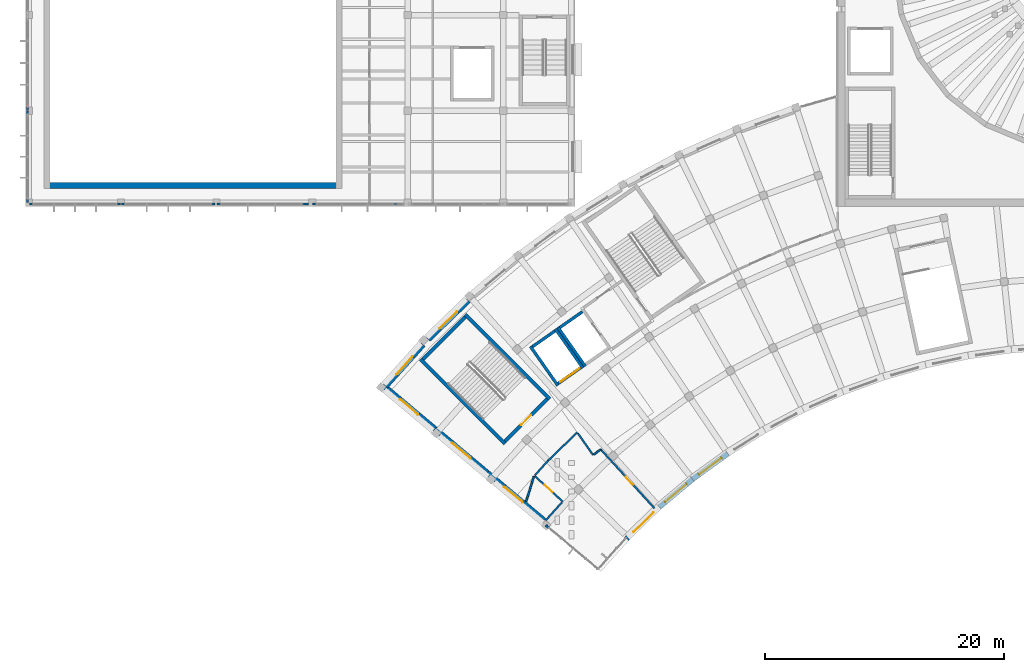
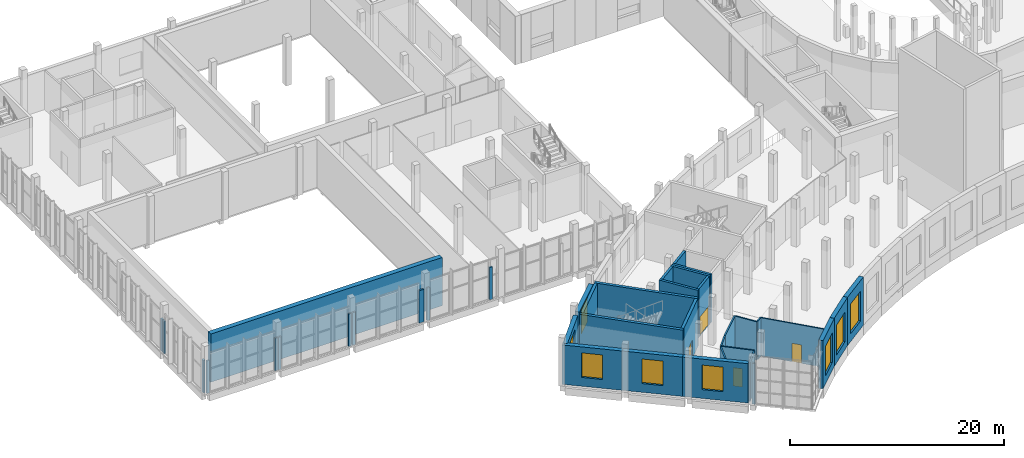
# One storey, part 31 of 87: 39 walls, 8 windows, 4 doors, 12 openings.
"""IFC4 building model written with IfcOpenShell, lengths in metres."""

from ifc_helpers import new_model, si_unit, direction, frame, frame_2d, origin, place, context, subcontext, project, spatial, rectangle, extrude, material, layer, layer_set, type_object, element, fill, save


model = new_model("IFC4")

# Units and contexts
model_context = context("Model", 3, precision=1e-05, world=origin(), true_north=direction((0.0, 1.0)))
body_context = subcontext(model_context, "Body", "Model", "MODEL_VIEW")
ifc_project = project(units=[si_unit("LENGTHUNIT", "METRE"), si_unit("AREAUNIT", "SQUARE_METRE"), si_unit("VOLUMEUNIT", "CUBIC_METRE"), si_unit("PLANEANGLEUNIT", "RADIAN"), si_unit("MASSUNIT", "GRAM", prefix="KILO")], contexts=[model_context])

# Site, building, storey
site_placement = place(None, origin())
site = spatial("IfcSite", under=ifc_project, at=site_placement, CompositionType="ELEMENT")
building_placement = place(site_placement, origin())
building = spatial("IfcBuilding", under=site, at=building_placement, Name="Lunette Opera House", CompositionType="ELEMENT")
storey_placement = place(building_placement, frame((0.0, 0.0, 11.5)))
storey = spatial("IfcBuildingStorey", under=building, at=storey_placement, Name="L02", CompositionType="ELEMENT", Elevation=11.5)

# Wall, opening, window
ifc_material_1 = material(Name="Clinker brick", Category="masonry")
ifc_layer_1 = layer(ifc_material_1, 0.449951171875)
ifc_layer_set_1 = layer_set([ifc_layer_1], Name="Clinker brick")
wall_type_1 = type_object("IfcWallType", Name="ARM END WALL 450", PredefinedType="SOLIDWALL", material=ifc_layer_set_1)
wall_1_placement = place(storey_placement, frame((51.43505859375, 37.68896484375, 0.0), z_axis=(0.0, 0.0, 1.0), x_axis=(-0.766076492063, 0.642749413308, 0.0)))
wall_1 = element("IfcWall", 1, at=wall_1_placement, inside=storey, type_object=wall_type_1, Name="Arm End Wall 450 EN-W1 L02", PredefinedType="SOLIDWALL", context=body_context, shape_type="SweptSolid", body=[
    extrude(rectangle(XDim=6.23583984375, YDim=0.449951171875, at=frame_2d((3.117919921875, 0.0))), origin(), (0.0, 0.0, 1.0), 4.47998046875),
])
opening_1_placement = place(wall_1_placement, frame((2.385009765625, 0.0, 1.0)))
opening_1 = element("IfcOpeningElement", 2, at=opening_1_placement, cuts=wall_1, Name="Opening FC-N2083", PredefinedType="OPENING", context=body_context, shape_type="SweptSolid", body=[
    extrude(rectangle(XDim=2.0, YDim=2.800048828125, at=frame_2d((1.0, 1.39990234375))), frame((0.0, 0.237060546875, 0.0), z_axis=(0.0, -1.0, 0.0), x_axis=(1.0, 0.0, 0.0)), (0.0, 0.0, 1.0), 0.473876953125),
])
ifc_material_2 = material(Name="Aluminium", Category="aluminium")
window_type_1 = type_object("IfcWindowType", Name="ARM WINDOW 2000 X 2800", PartitioningType="DOUBLE_PANEL_VERTICAL", PredefinedType="WINDOW", material=ifc_material_2)
window_1_placement = place(opening_1_placement, origin())
window_1 = element("IfcWindow", 3, at=window_1_placement, inside=storey, type_object=window_type_1, Name="Arm Window 2000 X 2800 EN-W1 L02", OverallHeight=2.800048828125, OverallWidth=2.0, PartitioningType="DOUBLE_PANEL_VERTICAL", PredefinedType="WINDOW", context=body_context, shape_type="SweptSolid", body=[
    extrude(rectangle(XDim=2.0, YDim=2.800048828125, at=frame_2d((1.0, 1.39990234375))), frame((0.0, 0.030029296875, 0.0), z_axis=(0.0, -1.0, 0.0), x_axis=(1.0, 0.0, 0.0)), (0.0, 0.0, 1.0), 0.06005859375),
])
fill(opening_1, window_1)

wall_2_placement = place(storey_placement, frame((46.657958984375, 41.697021484375, 0.0), z_axis=(0.0, 0.0, 1.0), x_axis=(-0.766078586631, 0.642746916838, 0.0)))
wall_2 = element("IfcWall", 4, at=wall_2_placement, inside=storey, type_object=wall_type_1, Name="Arm End Wall 450 EN-W2 L02", PredefinedType="SOLIDWALL", context=body_context, shape_type="SweptSolid", body=[
    extrude(rectangle(XDim=5.69921875, YDim=0.449951171875, at=frame_2d((2.849609375, 0.0))), origin(), (0.0, 0.0, 1.0), 4.47998046875),
])
opening_2_placement = place(wall_2_placement, frame((1.85009765625, 0.0, 1.0)))
opening_2 = element("IfcOpeningElement", 5, at=opening_2_placement, cuts=wall_2, Name="Opening FC-N2084", PredefinedType="OPENING", context=body_context, shape_type="SweptSolid", body=[
    extrude(rectangle(XDim=2.0, YDim=2.800048828125, at=frame_2d((1.0, 1.39990234375))), frame((0.0, 0.237060546875, 0.0), z_axis=(0.0, -1.0, 0.0), x_axis=(1.0, 0.0, 0.0)), (0.0, 0.0, 1.0), 0.473876953125),
])
window_2_placement = place(opening_2_placement, origin())
window_2 = element("IfcWindow", 6, at=window_2_placement, inside=storey, type_object=window_type_1, Name="Arm Window 2000 X 2800 EN-W2 L02", OverallHeight=2.800048828125, OverallWidth=2.0, PartitioningType="DOUBLE_PANEL_VERTICAL", PredefinedType="WINDOW", context=body_context, shape_type="SweptSolid", body=[
    extrude(rectangle(XDim=2.0, YDim=2.800048828125, at=frame_2d((1.0, 1.39990234375))), frame((0.0, 0.030029296875, 0.0), z_axis=(0.0, -1.0, 0.0), x_axis=(1.0, 0.0, 0.0)), (0.0, 0.0, 1.0), 0.06005859375),
])
fill(opening_2, window_2)

wall_3_placement = place(storey_placement, frame((42.2919921875, 45.360107421875, 0.0), z_axis=(0.0, 0.0, 1.0), x_axis=(-0.766086094987, 0.642737967657, 0.0)))
wall_3 = element("IfcWall", 7, at=wall_3_placement, inside=storey, type_object=wall_type_1, Name="Arm End Wall 450 EN-W3 L02", PredefinedType="SOLIDWALL", context=body_context, shape_type="SweptSolid", body=[
    extrude(rectangle(XDim=5.700439453125, YDim=0.449951171875, at=frame_2d((2.85009765625, 0.0))), origin(), (0.0, 0.0, 1.0), 4.47998046875),
])
opening_3_placement = place(wall_3_placement, frame((1.85009765625, 0.0, 1.0)))
opening_3 = element("IfcOpeningElement", 8, at=opening_3_placement, cuts=wall_3, Name="Opening FC-N2085", PredefinedType="OPENING", context=body_context, shape_type="SweptSolid", body=[
    extrude(rectangle(XDim=2.0, YDim=2.800048828125, at=frame_2d((1.0, 1.39990234375))), frame((0.0, 0.237060546875, 0.0), z_axis=(0.0, -1.0, 0.0), x_axis=(1.0, 0.0, 0.0)), (0.0, 0.0, 1.0), 0.473876953125),
])
window_3_placement = place(opening_3_placement, origin())
window_3 = element("IfcWindow", 9, at=window_3_placement, inside=storey, type_object=window_type_1, Name="Arm Window 2000 X 2800 EN-W3 L02", OverallHeight=2.800048828125, OverallWidth=2.0, PartitioningType="DOUBLE_PANEL_VERTICAL", PredefinedType="WINDOW", context=body_context, shape_type="SweptSolid", body=[
    extrude(rectangle(XDim=2.0, YDim=2.800048828125, at=frame_2d((1.0, 1.39990234375))), frame((0.0, 0.030029296875, 0.0), z_axis=(0.0, -1.0, 0.0), x_axis=(1.0, 0.0, 0.0)), (0.0, 0.0, 1.0), 0.06005859375),
])
fill(opening_3, window_3)

ifc_material_3 = material(Name="Clinker brick", Category="masonry")
ifc_layer_2 = layer(ifc_material_3, 0.449951171875)
ifc_layer_set_2 = layer_set([ifc_layer_2], Name="Clinker brick")
wall_type_2 = type_object("IfcWallType", Name="ARM RAIN SCREEN WALL 450", PredefinedType="SOLIDWALL", material=ifc_layer_set_2)
wall_4_placement = place(storey_placement, frame((38.154052734375, 48.929931640625, 0.0), z_axis=(0.0, 0.0, 1.0), x_axis=(0.669007879878, 0.74325531055, 0.0)))
wall_4 = element("IfcWall", 10, at=wall_4_placement, inside=storey, type_object=wall_type_2, Name="Arm Rain Screen Wall 450 BW-CW01 L02", PredefinedType="SOLIDWALL", context=body_context, shape_type="SweptSolid", body=[
    extrude(rectangle(XDim=4.68896484375, YDim=0.449951171875, at=frame_2d((2.344482421875, 0.0))), origin(), (0.0, 0.0, 1.0), 4.47998046875),
])
opening_4_placement = place(wall_4_placement, frame((1.344970703125, 0.0, 1.0)))
opening_4 = element("IfcOpeningElement", 11, at=opening_4_placement, cuts=wall_4, Name="Opening FC-N2109", PredefinedType="OPENING", context=body_context, shape_type="SweptSolid", body=[
    extrude(rectangle(XDim=2.0, YDim=2.800048828125, at=frame_2d((1.0, 1.39990234375))), frame((0.0, 0.237060546875, 0.0), z_axis=(0.0, -1.0, 0.0), x_axis=(1.0, 0.0, 0.0)), (0.0, 0.0, 1.0), 0.473876953125),
])
window_4_placement = place(opening_4_placement, origin())
window_4 = element("IfcWindow", 12, at=window_4_placement, inside=storey, type_object=window_type_1, Name="Arm Window 2000 X 2800 BW-CW01 L02", OverallHeight=2.800048828125, OverallWidth=2.0, PartitioningType="DOUBLE_PANEL_VERTICAL", PredefinedType="WINDOW", context=body_context, shape_type="SweptSolid", body=[
    extrude(rectangle(XDim=2.0, YDim=2.800048828125, at=frame_2d((1.0, 1.39990234375))), frame((0.0, 0.030029296875, 0.0), z_axis=(0.0, -1.0, 0.0), x_axis=(1.0, 0.0, 0.0)), (0.0, 0.0, 1.0), 0.06005859375),
])
fill(opening_4, window_4)

wall_5_placement = place(storey_placement, frame((41.7080078125, 52.845947265625, 0.0), z_axis=(0.0, 0.0, 1.0), x_axis=(0.719260611584, 0.694740363462, 0.0)))
wall_5 = element("IfcWall", 13, at=wall_5_placement, inside=storey, type_object=wall_type_2, Name="Arm Rain Screen Wall 450 BW-CW02 L02", PredefinedType="SOLIDWALL", context=body_context, shape_type="SweptSolid", body=[
    extrude(rectangle(XDim=4.689697265625, YDim=0.449951171875, at=frame_2d((2.3447265625, 0.0))), origin(), (0.0, 0.0, 1.0), 4.47998046875),
])
opening_5_placement = place(wall_5_placement, frame((1.344970703125, 0.0, 1.0)))
opening_5 = element("IfcOpeningElement", 14, at=opening_5_placement, cuts=wall_5, Name="Opening FC-N2113", PredefinedType="OPENING", context=body_context, shape_type="SweptSolid", body=[
    extrude(rectangle(XDim=2.0, YDim=2.800048828125, at=frame_2d((1.0, 1.39990234375))), frame((0.0, 0.237060546875, 0.0), z_axis=(0.0, -1.0, 0.0), x_axis=(1.0, 0.0, 0.0)), (0.0, 0.0, 1.0), 0.473876953125),
])
window_5_placement = place(opening_5_placement, origin())
window_5 = element("IfcWindow", 15, at=window_5_placement, inside=storey, type_object=window_type_1, Name="Arm Window 2000 X 2800 BW-CW02 L02", OverallHeight=2.800048828125, OverallWidth=2.0, PartitioningType="DOUBLE_PANEL_VERTICAL", PredefinedType="WINDOW", context=body_context, shape_type="SweptSolid", body=[
    extrude(rectangle(XDim=2.0, YDim=2.800048828125, at=frame_2d((1.0, 1.39990234375))), frame((0.0, 0.030029296875, 0.0), z_axis=(0.0, -1.0, 0.0), x_axis=(1.0, 0.0, 0.0)), (0.0, 0.0, 1.0), 0.06005859375),
])
fill(opening_5, window_5)

# Wall, opening, door
ifc_material_4 = material(Name="Plastered clay blockwork", Category="masonry")
ifc_layer_3 = layer(ifc_material_4, 0.14990234375)
ifc_layer_set_3 = layer_set([ifc_layer_3], Name="Plastered clay blockwork")
wall_type_3 = type_object("IfcWallType", Name="BLOCK PARTITION 150", PredefinedType="PARTITIONING", material=ifc_layer_set_3)
wall_6_placement = place(storey_placement, frame((60.64404296875, 38.72705078125, 0.0), z_axis=(0.0, 0.0, 1.0), x_axis=(-0.674225851887, 0.738525220049, 0.0)))
wall_6 = element("IfcWall", 16, at=wall_6_placement, inside=storey, type_object=wall_type_3, Name="Partition Public WC L02", PredefinedType="PARTITIONING", context=body_context, shape_type="SweptSolid", body=[
    extrude(rectangle(XDim=6.65234375, YDim=0.14990234375, at=frame_2d((3.326171875, 0.0))), origin(), (0.0, 0.0, 1.0), 4.35009765625),
])
opening_6_placement = place(wall_6_placement, frame((2.65087890625, 0.0, 0.0)))
opening_6 = element("IfcOpeningElement", 17, at=opening_6_placement, cuts=wall_6, Name="Opening FC-D3037", PredefinedType="OPENING", context=body_context, shape_type="SweptSolid", body=[
    extrude(rectangle(XDim=0.89990234375, YDim=2.10009765625, at=frame_2d((0.449951171875, 1.050048828125))), frame((0.0, 0.0869140625, 0.0), z_axis=(0.0, -1.0, 0.0), x_axis=(1.0, 0.0, 0.0)), (0.0, 0.0, 1.0), 0.173828125),
])
ifc_material_5 = material(Name="Timber", Category="wood")
door_type_1 = type_object("IfcDoorType", Name="FLUSH DOOR 900 X 2100", OperationType="SINGLE_SWING_LEFT", PredefinedType="DOOR", material=ifc_material_5)
door_1_placement = place(opening_6_placement, origin())
door_1 = element("IfcDoor", 18, at=door_1_placement, inside=storey, type_object=door_type_1, Name="Public WC L02 door", OperationType="SINGLE_SWING_LEFT", OverallHeight=2.10009765625, OverallWidth=0.89990234375, PredefinedType="DOOR", context=body_context, shape_type="SweptSolid", body=[
    extrude(rectangle(XDim=0.89990234375, YDim=2.10009765625, at=frame_2d((0.449951171875, 1.050048828125))), frame((0.0, 0.02490234375, 0.0), z_axis=(0.0, -1.0, 0.0), x_axis=(1.0, 0.0, 0.0)), (0.0, 0.0, 1.0), 0.050048828125),
])
fill(opening_6, door_1)

# Wall
wall_7_placement = place(storey_placement, frame((54.18896484375, 45.06689453125, 0.0), z_axis=(0.0, 0.0, 1.0), x_axis=(-0.719150966755, -0.694853860186, 0.0)))
element("IfcWall", 19, at=wall_7_placement, inside=storey, type_object=wall_type_3, Name="Partition Public WC L02", PredefinedType="PARTITIONING", context=body_context, shape_type="SweptSolid", body=[
    extrude(rectangle(XDim=3.376220703125, YDim=0.14990234375, at=frame_2d((1.68798828125, 0.0))), origin(), (0.0, 0.0, 1.0), 4.3798828125),
])

# Wall, opening, door
wall_8_placement = place(storey_placement, frame((52.968994140625, 39.283935546875, 0.0), z_axis=(0.0, 0.0, 1.0), x_axis=(-0.738587953928, 0.6741571288, 0.0)))
wall_8 = element("IfcWall", 20, at=wall_8_placement, inside=storey, type_object=wall_type_3, Name="Partition Accessible WC L02", PredefinedType="PARTITIONING", context=body_context, shape_type="SweptSolid", body=[
    extrude(rectangle(XDim=3.197998046875, YDim=0.14990234375, at=frame_2d((1.59912109375, 0.0))), origin(), (0.0, 0.0, 1.0), 4.3798828125),
])
opening_7_placement = place(wall_8_placement, frame((1.14892578125, 0.0, 0.0)))
opening_7 = element("IfcOpeningElement", 21, at=opening_7_placement, cuts=wall_8, Name="Opening FC-D3038", PredefinedType="OPENING", context=body_context, shape_type="SweptSolid", body=[
    extrude(rectangle(XDim=0.89990234375, YDim=2.10009765625, at=frame_2d((0.449951171875, 1.050048828125))), frame((0.0, 0.0869140625, 0.0), z_axis=(0.0, -1.0, 0.0), x_axis=(1.0, 0.0, 0.0)), (0.0, 0.0, 1.0), 0.173828125),
])
door_2_placement = place(opening_7_placement, origin())
door_2 = element("IfcDoor", 22, at=door_2_placement, inside=storey, type_object=door_type_1, Name="Accessible WC L02 door", OperationType="SINGLE_SWING_LEFT", OverallHeight=2.10009765625, OverallWidth=0.89990234375, PredefinedType="DOOR", context=body_context, shape_type="SweptSolid", body=[
    extrude(rectangle(XDim=0.89990234375, YDim=2.10009765625, at=frame_2d((0.449951171875, 1.050048828125))), frame((0.0, 0.02490234375, 0.0), z_axis=(0.0, -1.0, 0.0), x_axis=(1.0, 0.0, 0.0)), (0.0, 0.0, 1.0), 0.050048828125),
])
fill(opening_7, door_2)

# Walls
wall_9_placement = place(storey_placement, frame((50.555908203125, 41.384033203125, 0.0), z_axis=(0.0, 0.0, 1.0), x_axis=(-0.295465570402, -0.955353388389, 0.0)))
element("IfcWall", 23, at=wall_9_placement, inside=storey, type_object=wall_type_3, Name="Partition Accessible WC L02", PredefinedType="PARTITIONING", context=body_context, shape_type="SweptSolid", body=[
    extrude(rectangle(XDim=2.212890625, YDim=0.14990234375, at=frame_2d((1.1064453125, 0.0))), origin(), (0.0, 0.0, 1.0), 4.3798828125),
])
wall_10_placement = place(storey_placement, frame((51.541015625, 37.697998046875, 0.0), z_axis=(0.0, 0.0, 1.0), x_axis=(0.669207075993, 0.743075964785, 0.0)))
element("IfcWall", 24, at=wall_10_placement, inside=storey, type_object=wall_type_3, Name="Partition Accessible WC L02", PredefinedType="PARTITIONING", context=body_context, shape_type="SweptSolid", body=[
    extrude(rectangle(XDim=2.05908203125, YDim=0.14990234375, at=frame_2d((1.029541015625, 0.0))), origin(), (0.0, 0.0, 1.0), 4.3798828125),
])
wall_11_placement = place(storey_placement, frame((55.508056640625, 43.18408203125, 0.0), z_axis=(0.0, 0.0, 1.0), x_axis=(-0.57384571694, 0.818963426014, 0.0)))
element("IfcWall", 25, at=wall_11_placement, inside=storey, type_object=wall_type_3, Name="Partition Public WC L02", PredefinedType="PARTITIONING", context=body_context, shape_type="SweptSolid", body=[
    extrude(rectangle(XDim=2.22216796875, YDim=0.14990234375, at=frame_2d((1.111083984375, 0.0))), origin(), (0.0, 0.0, 1.0), 4.3798828125),
])
wall_12_placement = place(storey_placement, frame((51.760986328125, 42.720947265625, 0.0), z_axis=(0.0, 0.0, 1.0), x_axis=(-0.669512605136, -0.742800694375, 0.0)))
element("IfcWall", 26, at=wall_12_placement, inside=storey, type_object=wall_type_3, Name="Partition Public WC L02", PredefinedType="PARTITIONING", context=body_context, shape_type="SweptSolid", body=[
    extrude(rectangle(XDim=1.64892578125, YDim=0.14990234375, at=frame_2d((0.824462890625, 0.0))), origin(), (0.0, 0.0, 1.0), 4.3798828125),
])
wall_13_placement = place(storey_placement, frame((56.156005859375, 43.637939453125, 0.0), z_axis=(0.0, 0.0, 1.0), x_axis=(-0.818750822524, -0.574149014295, 0.0)))
element("IfcWall", 27, at=wall_13_placement, inside=storey, type_object=wall_type_3, Name="Partition Public WC L02", PredefinedType="PARTITIONING", context=body_context, shape_type="SweptSolid", body=[
    extrude(rectangle(XDim=0.715576171875, YDim=0.14990234375, at=frame_2d((0.35791015625, 0.0))), origin(), (0.0, 0.0, 1.0), 4.3798828125),
])

# Wall, opening, window
ifc_material_6 = material(Name="Clinker brick", Category="masonry")
ifc_layer_4 = layer(ifc_material_6, 0.449951171875)
ifc_layer_set_4 = layer_set([ifc_layer_4], Name="Clinker brick")
wall_type_4 = type_object("IfcWallType", Name="CRESCENT BRICK WALL 450", PredefinedType="SOLIDWALL", material=ifc_layer_set_4)
wall_14_placement = place(storey_placement, frame((58.327880859375, 36.177978515625, 0.0), z_axis=(0.0, 0.0, 1.0), x_axis=(0.719395911917, 0.694600260522, 0.0)))
wall_14 = element("IfcWall", 28, at=wall_14_placement, inside=storey, type_object=wall_type_4, Name="Crescent Brick Wall 450 BW-A01 L02", PredefinedType="SOLIDWALL", context=body_context, shape_type="SweptSolid", body=[
    extrude(rectangle(XDim=3.790771484375, YDim=0.449951171875, at=frame_2d((1.8955078125, 0.0))), origin(), (0.0, 0.0, 1.0), 5.5),
])
opening_8_placement = place(wall_14_placement, frame((0.798095703125, 0.0, 0.89990234375)))
opening_8 = element("IfcOpeningElement", 29, at=opening_8_placement, cuts=wall_14, Name="Opening FC-N2001", PredefinedType="OPENING", context=body_context, shape_type="SweptSolid", body=[
    extrude(rectangle(XDim=2.340087890625, YDim=3.39990234375, at=frame_2d((1.169921875, 1.699951171875))), frame((0.0, 0.237060546875, 0.0), z_axis=(0.0, -1.0, 0.0), x_axis=(1.0, 0.0, 0.0)), (0.0, 0.0, 1.0), 0.473876953125),
])
ifc_material_7 = material(Name="Aluminium", Category="aluminium")
window_type_2 = type_object("IfcWindowType", Name="CHICAGO WINDOW 2340 X 3400", PartitioningType="TRIPLE_PANEL_VERTICAL", PredefinedType="WINDOW", material=ifc_material_7)
window_6_placement = place(opening_8_placement, origin())
window_6 = element("IfcWindow", 30, at=window_6_placement, inside=storey, type_object=window_type_2, Name="Chicago Window 2340 X 3400 BW-A01 L02", OverallHeight=3.39990234375, OverallWidth=2.340087890625, PartitioningType="TRIPLE_PANEL_VERTICAL", PredefinedType="WINDOW", context=body_context, shape_type="SweptSolid", body=[
    extrude(rectangle(XDim=2.340087890625, YDim=3.39990234375, at=frame_2d((1.169921875, 1.699951171875))), frame((0.0, 0.030029296875, 0.0), z_axis=(0.0, -1.0, 0.0), x_axis=(1.0, 0.0, 0.0)), (0.0, 0.0, 1.0), 0.06005859375),
])
fill(opening_8, window_6)

wall_15_placement = place(storey_placement, frame((61.054931640625, 38.81103515625, 0.0), z_axis=(0.0, 0.0, 1.0), x_axis=(0.766009592259, 0.642829141038, 0.0)))
wall_15 = element("IfcWall", 31, at=wall_15_placement, inside=storey, type_object=wall_type_4, Name="Crescent Brick Wall 450 BW-A02 L02", PredefinedType="SOLIDWALL", context=body_context, shape_type="SweptSolid", body=[
    extrude(rectangle(XDim=3.644775390625, YDim=0.449951171875, at=frame_2d((1.822265625, 0.0))), origin(), (0.0, 0.0, 1.0), 5.5),
])
opening_9_placement = place(wall_15_placement, frame((0.653076171875, 0.0, 0.89990234375)))
opening_9 = element("IfcOpeningElement", 32, at=opening_9_placement, cuts=wall_15, Name="Opening FC-N2004", PredefinedType="OPENING", context=body_context, shape_type="SweptSolid", body=[
    extrude(rectangle(XDim=2.340087890625, YDim=3.39990234375, at=frame_2d((1.169921875, 1.699951171875))), frame((0.0, 0.237060546875, 0.0), z_axis=(0.0, -1.0, 0.0), x_axis=(1.0, 0.0, 0.0)), (0.0, 0.0, 1.0), 0.473876953125),
])
window_7_placement = place(opening_9_placement, origin())
window_7 = element("IfcWindow", 33, at=window_7_placement, inside=storey, type_object=window_type_2, Name="Chicago Window 2340 X 3400 BW-A02 L02", OverallHeight=3.39990234375, OverallWidth=2.340087890625, PartitioningType="TRIPLE_PANEL_VERTICAL", PredefinedType="WINDOW", context=body_context, shape_type="SweptSolid", body=[
    extrude(rectangle(XDim=2.340087890625, YDim=3.39990234375, at=frame_2d((1.169921875, 1.699951171875))), frame((0.0, 0.030029296875, 0.0), z_axis=(0.0, -1.0, 0.0), x_axis=(1.0, 0.0, 0.0)), (0.0, 0.0, 1.0), 0.06005859375),
])
fill(opening_9, window_7)

wall_16_placement = place(storey_placement, frame((63.846923828125, 41.154052734375, 0.0), z_axis=(0.0, 0.0, 1.0), x_axis=(0.809109587744, 0.58765778734, 0.0)))
wall_16 = element("IfcWall", 34, at=wall_16_placement, inside=storey, type_object=wall_type_4, Name="Crescent Brick Wall 450 BW-A03 L02", PredefinedType="SOLIDWALL", context=body_context, shape_type="SweptSolid", body=[
    extrude(rectangle(XDim=3.644775390625, YDim=0.449951171875, at=frame_2d((1.822265625, 0.0))), origin(), (0.0, 0.0, 1.0), 5.5),
])
opening_10_placement = place(wall_16_placement, frame((0.653076171875, 0.0, 0.89990234375)))
opening_10 = element("IfcOpeningElement", 35, at=opening_10_placement, cuts=wall_16, Name="Opening FC-N2007", PredefinedType="OPENING", context=body_context, shape_type="SweptSolid", body=[
    extrude(rectangle(XDim=2.340087890625, YDim=3.39990234375, at=frame_2d((1.169921875, 1.699951171875))), frame((0.0, 0.237060546875, 0.0), z_axis=(0.0, -1.0, 0.0), x_axis=(1.0, 0.0, 0.0)), (0.0, 0.0, 1.0), 0.473876953125),
])
window_8_placement = place(opening_10_placement, origin())
window_8 = element("IfcWindow", 36, at=window_8_placement, inside=storey, type_object=window_type_2, Name="Chicago Window 2340 X 3400 BW-A03 L02", OverallHeight=3.39990234375, OverallWidth=2.340087890625, PartitioningType="TRIPLE_PANEL_VERTICAL", PredefinedType="WINDOW", context=body_context, shape_type="SweptSolid", body=[
    extrude(rectangle(XDim=2.340087890625, YDim=3.39990234375, at=frame_2d((1.169921875, 1.699951171875))), frame((0.0, 0.030029296875, 0.0), z_axis=(0.0, -1.0, 0.0), x_axis=(1.0, 0.0, 0.0)), (0.0, 0.0, 1.0), 0.06005859375),
])
fill(opening_10, window_8)

# Walls
ifc_material_8 = material(Name="Insulated aluminium sandwich panel", Category="aluminium")
ifc_layer_5 = layer(ifc_material_8, 0.179931640625)
ifc_layer_set_5 = layer_set([ifc_layer_5], Name="Insulated aluminium sandwich panel")
wall_type_5 = type_object("IfcWallType", Name="CURTAIN WALL INFILL 180", PredefinedType="SOLIDWALL", material=ifc_layer_set_5)
wall_17_placement = place(storey_placement, frame((51.800048828125, 37.089111328125, 0.0), z_axis=(0.0, 0.0, 1.0), x_axis=(-0.767105498424, 0.641520969485, 0.0)))
element("IfcWall", 37, at=wall_17_placement, inside=storey, type_object=wall_type_5, Name="Curtain Wall Infill 180 IN4 L02", PredefinedType="SOLIDWALL", context=body_context, shape_type="SweptSolid", body=[
    extrude(rectangle(XDim=0.30517578125, YDim=0.179931640625, at=frame_2d((0.152587890625, 0.0))), origin(), (0.0, 0.0, 1.0), 4.64990234375),
])
wall_18_placement = place(storey_placement, frame((8.181884765625, 72.330078125, 0.0), z_axis=(0.0, 0.0, 1.0), x_axis=(0.0, -1.0, 0.0)))
element("IfcWall", 38, at=wall_18_placement, inside=storey, type_object=wall_type_5, Name="Curtain Wall Infill 180 IN68 L02", PredefinedType="SOLIDWALL", context=body_context, shape_type="SweptSolid", body=[
    extrude(rectangle(XDim=0.30517578125, YDim=0.179931640625, at=frame_2d((0.152587890625, 0.0))), origin(), (0.0, 0.0, 1.0), 3.699951171875),
])
wall_19_placement = place(storey_placement, frame((8.181884765625, 64.6298828125, 0.0), z_axis=(0.0, 0.0, 1.0), x_axis=(0.0, -1.0, 0.0)))
element("IfcWall", 39, at=wall_19_placement, inside=storey, type_object=wall_type_5, Name="Curtain Wall Infill 180 IN70 L02", PredefinedType="SOLIDWALL", context=body_context, shape_type="SweptSolid", body=[
    extrude(rectangle(XDim=0.304931640625, YDim=0.179931640625, at=frame_2d((0.15234375, 0.0))), origin(), (0.0, 0.0, 1.0), 3.699951171875),
])
for number, where, z_axis, x_axis, name in (
    (40, (8.181884765625, 71.669921875, 0.0), (0.0, 0.0, 1.0), (0.0, 1.0, 0.0), "Curtain Wall Infill 180 IN71 L02"),
    (41, (15.669921875, 64.18310546875, 0.0), (0.0, 0.0, 1.0), (1.0, 0.0, 0.0), "Curtain Wall Infill 180 IN72 L02"),
):
    element("IfcWall", number, at=place(storey_placement, frame(where, z_axis=z_axis, x_axis=x_axis)), inside=storey, type_object=wall_type_5, Name=name, PredefinedType="SOLIDWALL", context=body_context, shape_type="SweptSolid", body=[
        extrude(rectangle(XDim=0.30517578125, YDim=0.179931640625, at=frame_2d((0.152587890625, 0.0))), origin(), (0.0, 0.0, 1.0), 3.699951171875),
    ])
wall_20_placement = place(storey_placement, frame((8.6298828125, 64.18310546875, 0.0), z_axis=(0.0, 0.0, 1.0), x_axis=(-1.0, 0.0, 0.0)))
element("IfcWall", 42, at=wall_20_placement, inside=storey, type_object=wall_type_5, Name="Curtain Wall Infill 180 IN73 L02", PredefinedType="SOLIDWALL", context=body_context, shape_type="SweptSolid", body=[
    extrude(rectangle(XDim=0.304931640625, YDim=0.179931640625, at=frame_2d((0.15234375, 0.0))), origin(), (0.0, 0.0, 1.0), 3.699951171875),
])
for number, where, z_axis, x_axis, name in (
    (43, (23.576904296875, 64.18310546875, 0.0), (0.0, 0.0, 1.0), (1.0, 0.0, 0.0), "Curtain Wall Infill 180 IN74 L02"),
    (44, (16.330078125, 64.18310546875, 0.0), (0.0, 0.0, 1.0), (-1.0, 0.0, 0.0), "Curtain Wall Infill 180 IN75 L02"),
):
    element("IfcWall", number, at=place(storey_placement, frame(where, z_axis=z_axis, x_axis=x_axis)), inside=storey, type_object=wall_type_5, Name=name, PredefinedType="SOLIDWALL", context=body_context, shape_type="SweptSolid", body=[
        extrude(rectangle(XDim=0.30517578125, YDim=0.179931640625, at=frame_2d((0.152587890625, 0.0))), origin(), (0.0, 0.0, 1.0), 3.699951171875),
    ])
wall_21_placement = place(storey_placement, frame((31.18310546875, 64.18310546875, 0.0), z_axis=(0.0, 0.0, 1.0), x_axis=(1.0, 0.0, 0.0)))
element("IfcWall", 45, at=wall_21_placement, inside=storey, type_object=wall_type_5, Name="Curtain Wall Infill 180 IN76 L02", PredefinedType="SOLIDWALL", context=body_context, shape_type="SweptSolid", body=[
    extrude(rectangle(XDim=0.514892578125, YDim=0.179931640625, at=frame_2d((0.25732421875, 0.0))), origin(), (0.0, 0.0, 1.0), 3.699951171875),
])
wall_22_placement = place(storey_placement, frame((24.330078125, 64.18310546875, 0.0), z_axis=(0.0, 0.0, 1.0), x_axis=(-1.0, 0.0, 0.0)))
element("IfcWall", 46, at=wall_22_placement, inside=storey, type_object=wall_type_5, Name="Curtain Wall Infill 180 IN77 L02", PredefinedType="SOLIDWALL", context=body_context, shape_type="SweptSolid", body=[
    extrude(rectangle(XDim=0.30517578125, YDim=0.179931640625, at=frame_2d((0.152587890625, 0.0))), origin(), (0.0, 0.0, 1.0), 3.699951171875),
])
wall_23_placement = place(storey_placement, frame((38.7880859375, 64.18310546875, 0.0), z_axis=(0.0, 0.0, 1.0), x_axis=(1.0, 0.0, 0.0)))
element("IfcWall", 47, at=wall_23_placement, inside=storey, type_object=wall_type_5, Name="Curtain Wall Infill 180 IN78 L02", PredefinedType="SOLIDWALL", context=body_context, shape_type="SweptSolid", body=[
    extrude(rectangle(XDim=0.304931640625, YDim=0.179931640625, at=frame_2d((0.15234375, 0.0))), origin(), (0.0, 0.0, 1.0), 3.699951171875),
])
wall_24_placement = place(storey_placement, frame((32.330078125, 64.18310546875, 0.0), z_axis=(0.0, 0.0, 1.0), x_axis=(-1.0, 0.0, 0.0)))
element("IfcWall", 48, at=wall_24_placement, inside=storey, type_object=wall_type_5, Name="Curtain Wall Infill 180 IN79 L02", PredefinedType="SOLIDWALL", context=body_context, shape_type="SweptSolid", body=[
    extrude(rectangle(XDim=0.30517578125, YDim=0.179931640625, at=frame_2d((0.152587890625, 0.0))), origin(), (0.0, 0.0, 1.0), 3.699951171875),
])
ifc_material_9 = material(Name="Concrete C35/45", Category="concrete")
ifc_layer_6 = layer(ifc_material_9, 0.25)
ifc_layer_set_6 = layer_set([ifc_layer_6], Name="Concrete C35/45")
wall_type_6 = type_object("IfcWallType", Name="RC LIFT SHAFT WALL 250", PredefinedType="SOLIDWALL", material=ifc_layer_set_6)
wall_25_placement = place(storey_placement, frame((54.623046875, 55.1689453125, 0.0), z_axis=(0.0, 0.0, 1.0), x_axis=(-0.819226933165, -0.573469469089, 0.0)))
element("IfcWall", 49, at=wall_25_placement, inside=storey, type_object=wall_type_6, Name="FL2 shaft wall 2", PredefinedType="SOLIDWALL", context=body_context, shape_type="SweptSolid", body=[
    extrude(rectangle(XDim=2.2998046875, YDim=0.25, at=frame_2d((1.14990234375, 0.0))), origin(), (0.0, 0.0, 1.0), 5.5),
])
for number, where, z_axis, x_axis, name in (
    (50, (52.56494140625, 53.881103515625, 0.0), (0.0, 0.0, 1.0), (0.573572956461, -0.819154480923, 0.0), "FL2 shaft wall 3"),
    (51, (54.655029296875, 50.4609375, 0.0), (0.0, 0.0, 1.0), (-0.573572956461, 0.819154480923, 0.0), "LF1 shaft wall 1"),
):
    element("IfcWall", number, at=place(storey_placement, frame(where, z_axis=z_axis, x_axis=x_axis)), inside=storey, type_object=wall_type_6, Name=name, PredefinedType="SOLIDWALL", context=body_context, shape_type="SweptSolid", body=[
        extrude(rectangle(XDim=3.99951171875, YDim=0.25, at=frame_2d((1.999755859375, 0.0))), origin(), (0.0, 0.0, 1.0), 5.5),
    ])
wall_26_placement = place(storey_placement, frame((52.330078125, 53.56298828125, 0.0), z_axis=(0.0, 0.0, 1.0), x_axis=(-0.819316661421, -0.57334126689, 0.0)))
element("IfcWall", 52, at=wall_26_placement, inside=storey, type_object=wall_type_6, Name="LF1 shaft wall 2", PredefinedType="SOLIDWALL", context=body_context, shape_type="SweptSolid", body=[
    extrude(rectangle(XDim=2.30078125, YDim=0.25, at=frame_2d((1.150390625, 0.0))), origin(), (0.0, 0.0, 1.0), 5.5),
])
wall_27_placement = place(storey_placement, frame((50.27099609375, 52.27490234375, 0.0), z_axis=(0.0, 0.0, 1.0), x_axis=(0.57360163893, -0.819134396675, 0.0)))
element("IfcWall", 53, at=wall_27_placement, inside=storey, type_object=wall_type_6, Name="LF1 shaft wall 3", PredefinedType="SOLIDWALL", context=body_context, shape_type="SweptSolid", body=[
    extrude(rectangle(XDim=3.999267578125, YDim=0.25, at=frame_2d((1.99951171875, 0.0))), origin(), (0.0, 0.0, 1.0), 5.5),
])

# Wall, opening, door
wall_28_placement = place(storey_placement, frame((52.595947265625, 49.173095703125, 0.0), z_axis=(0.0, 0.0, 1.0), x_axis=(0.819366508838, 0.573270027295, 0.0)))
wall_28 = element("IfcWall", 54, at=wall_28_placement, inside=storey, type_object=wall_type_6, Name="LF1 shaft wall 4", PredefinedType="SOLIDWALL", context=body_context, shape_type="SweptSolid", body=[
    extrude(rectangle(XDim=2.300537109375, YDim=0.25, at=frame_2d((1.150390625, 0.0))), origin(), (0.0, 0.0, 1.0), 5.5),
])
opening_11_placement = place(wall_28_placement, frame((0.199951171875, 0.0, 0.0)))
opening_11 = element("IfcOpeningElement", 55, at=opening_11_placement, cuts=wall_28, Name="Opening FC-LD016", PredefinedType="OPENING", context=body_context, shape_type="SweptSolid", body=[
    extrude(rectangle(XDim=2.0, YDim=2.199951171875, at=frame_2d((1.0, 1.10009765625))), frame((0.0, 0.136962890625, 0.0), z_axis=(0.0, -1.0, 0.0), x_axis=(1.0, 0.0, 0.0)), (0.0, 0.0, 1.0), 0.27392578125),
])
ifc_material_10 = material(Name="Stainless steel", Category="steel")
door_type_2 = type_object("IfcDoorType", Name="LIFT LANDING DOOR 2000 X 2200", OperationType="DOUBLE_DOOR_SLIDING", PredefinedType="DOOR", material=ifc_material_10)
door_3_placement = place(opening_11_placement, origin())
door_3 = element("IfcDoor", 56, at=door_3_placement, inside=storey, type_object=door_type_2, Name="LF1 lift landing door", OperationType="DOUBLE_DOOR_SLIDING", OverallHeight=2.199951171875, OverallWidth=2.0, PredefinedType="DOOR", context=body_context, shape_type="SweptSolid", body=[
    extrude(rectangle(XDim=2.0, YDim=2.199951171875, at=frame_2d((1.0, 1.10009765625))), frame((0.0, 0.02490234375, 0.0), z_axis=(0.0, -1.0, 0.0), x_axis=(1.0, 0.0, 0.0)), (0.0, 0.0, 1.0), 0.050048828125),
])
fill(opening_11, door_3)

ifc_material_11 = material(Name="Concrete C35/45", Category="concrete")
ifc_layer_7 = layer(ifc_material_11, 0.300048828125)
ifc_layer_set_7 = layer_set([ifc_layer_7], Name="Concrete C35/45")
wall_type_7 = type_object("IfcWallType", Name="RC STAIR ENCLOSURE WALL 300", PredefinedType="SOLIDWALL", material=ifc_layer_set_7)
wall_29_placement = place(storey_placement, frame((48.12890625, 44.3349609375, 0.0), z_axis=(0.0, 0.0, 1.0), x_axis=(0.707106781187, 0.707106781187, 0.0)))
wall_29 = element("IfcWall", 57, at=wall_29_placement, inside=storey, type_object=wall_type_7, Name="ST1 enclosure wall 1", PredefinedType="SOLIDWALL", context=body_context, shape_type="SweptSolid", body=[
    extrude(rectangle(XDim=5.000732421875, YDim=0.300048828125, at=frame_2d((2.50048828125, 0.0))), origin(), (0.0, 0.0, 1.0), 5.5),
])
opening_12_placement = place(wall_29_placement, frame((1.89990234375, 0.0, 0.0)))
opening_12 = element("IfcOpeningElement", 58, at=opening_12_placement, cuts=wall_29, Name="Opening FC-D7010", PredefinedType="OPENING", context=body_context, shape_type="SweptSolid", body=[
    extrude(rectangle(XDim=1.199951171875, YDim=2.10009765625, at=frame_2d((0.60009765625, 1.050048828125))), frame((0.0, 0.162109375, 0.0), z_axis=(0.0, -1.0, 0.0), x_axis=(1.0, 0.0, 0.0)), (0.0, 0.0, 1.0), 0.323974609375),
])
ifc_material_12 = material(Name="Steel", Category="steel")
door_type_3 = type_object("IfcDoorType", Name="FIRE DOOR 1200 X 2100", OperationType="SINGLE_SWING_LEFT", PredefinedType="DOOR", material=ifc_material_12)
door_4_placement = place(opening_12_placement, origin())
door_4 = element("IfcDoor", 59, at=door_4_placement, inside=storey, type_object=door_type_3, Name="ST1 stair door", OperationType="SINGLE_SWING_LEFT", OverallHeight=2.10009765625, OverallWidth=1.199951171875, PredefinedType="DOOR", context=body_context, shape_type="SweptSolid", body=[
    extrude(rectangle(XDim=1.199951171875, YDim=2.10009765625, at=frame_2d((0.60009765625, 1.050048828125))), frame((0.0, 0.02490234375, 0.0), z_axis=(0.0, -1.0, 0.0), x_axis=(1.0, 0.0, 0.0)), (0.0, 0.0, 1.0), 0.050048828125),
])
fill(opening_12, door_4)

# Walls
wall_30_placement = place(storey_placement, frame((51.876953125, 47.87109375, 0.0), z_axis=(0.0, 0.0, 1.0), x_axis=(-0.707118988363, 0.7070945738, 0.0)))
element("IfcWall", 60, at=wall_30_placement, inside=storey, type_object=wall_type_7, Name="ST1 enclosure wall 2", PredefinedType="SOLIDWALL", context=body_context, shape_type="SweptSolid", body=[
    extrude(rectangle(XDim=9.999755859375, YDim=0.300048828125, at=frame_2d((5.0, 0.0))), origin(), (0.0, 0.0, 1.0), 5.5),
])
wall_31_placement = place(storey_placement, frame((44.805908203125, 54.72998046875, 0.0), z_axis=(0.0, 0.0, 1.0), x_axis=(-0.707106781187, -0.707106781187, 0.0)))
element("IfcWall", 61, at=wall_31_placement, inside=storey, type_object=wall_type_7, Name="ST1 enclosure wall 3", PredefinedType="SOLIDWALL", context=body_context, shape_type="SweptSolid", body=[
    extrude(rectangle(XDim=5.00048828125, YDim=0.300048828125, at=frame_2d((2.500244140625, 0.0))), origin(), (0.0, 0.0, 1.0), 5.5),
])
wall_32_placement = place(storey_placement, frame((41.05810546875, 51.194091796875, 0.0), z_axis=(0.0, 0.0, 1.0), x_axis=(0.7070945738, -0.707118988363, 0.0)))
element("IfcWall", 62, at=wall_32_placement, inside=storey, type_object=wall_type_7, Name="ST1 enclosure wall 4", PredefinedType="SOLIDWALL", context=body_context, shape_type="SweptSolid", body=[
    extrude(rectangle(XDim=9.999755859375, YDim=0.300048828125, at=frame_2d((5.0, 0.0))), origin(), (0.0, 0.0, 1.0), 5.5),
])
ifc_material_13 = material(Name="Concrete C35/45", Category="concrete")
ifc_layer_8 = layer(ifc_material_13, 0.5)
ifc_layer_set_8 = layer_set([ifc_layer_8], Name="Concrete C35/45")
wall_type_8 = type_object("IfcWallType", Name="RC WALL 500", PredefinedType="SHEAR", material=ifc_layer_set_8)
wall_33_placement = place(storey_placement, frame((9.56005859375, 65.75, 0.0), z_axis=(0.0, 0.0, 1.0), x_axis=(1.0, 0.0, 0.0)))
element("IfcWall", 63, at=wall_33_placement, inside=storey, type_object=wall_type_8, Name="wall-RW-L02-HW-S-1", PredefinedType="SHEAR", context=body_context, shape_type="SweptSolid", body=[
    extrude(rectangle(XDim=24.93994140625, YDim=0.5, at=frame_2d((12.469970703125, 0.0))), origin(), (0.0, 0.0, 1.0), 5.5),
])

save(model, "model.ifc")
